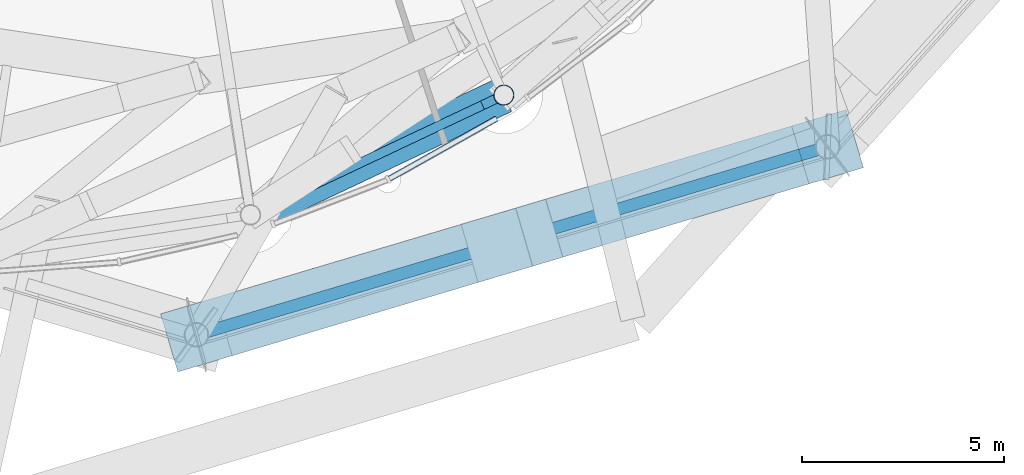
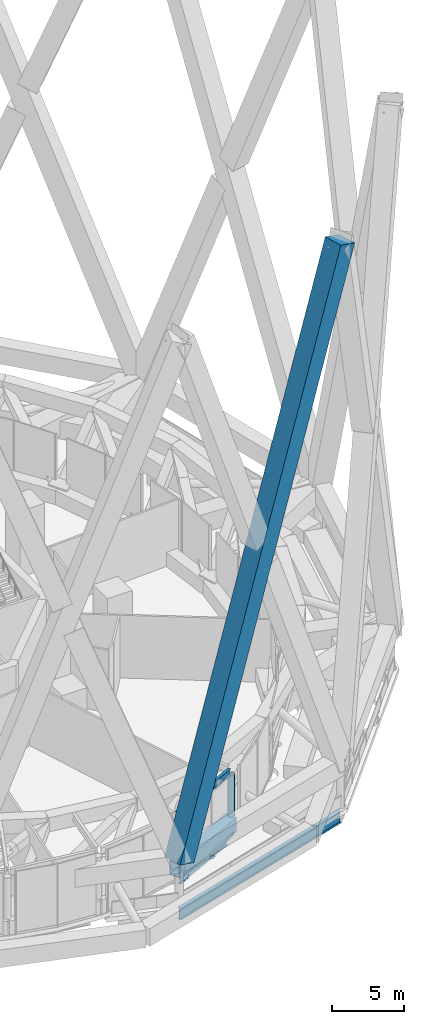
# One storey, part 15 of 49: 4 beams, 3 members, 1 element without a shape of its own.
"""IFC4 building model written with IfcOpenShell, lengths in metres."""

from ifc_helpers import new_model, si_unit, direction, frame, origin, origin_2d, place, context, subcontext, project, spatial, rectangle, hollow_rectangle, hollow_circle, i_section, extrude, material, layer, layer_set, material_profile, profile_set, type_object, element, aggregate, save


model = new_model("IFC4")

# Units and contexts
model_context = context("Model", 3, precision=1e-05, world=origin(), true_north=direction((0.0, 1.0)))
body_context = subcontext(model_context, "Body", "Model", "MODEL_VIEW")
ifc_project = project(units=[si_unit("LENGTHUNIT", "METRE"), si_unit("AREAUNIT", "SQUARE_METRE"), si_unit("VOLUMEUNIT", "CUBIC_METRE"), si_unit("PLANEANGLEUNIT", "RADIAN"), si_unit("MASSUNIT", "GRAM", prefix="KILO")], contexts=[model_context])

# Site, building, storey
site_placement = place(None, origin())
site = spatial("IfcSite", under=ifc_project, at=site_placement, CompositionType="ELEMENT")
building_placement = place(site_placement, origin())
building = spatial("IfcBuilding", under=site, at=building_placement, Name="Nagisa Residences", CompositionType="ELEMENT")
storey_placement = place(building_placement, frame((0.0, 0.0, 160.300048828125)))
storey = spatial("IfcBuildingStorey", under=building, at=storey_placement, Name="L40", CompositionType="ELEMENT", Elevation=160.300048828125)

# Beam
ifc_material_1 = material(Name="Steel ASTM A572 Gr 50", Category="steel")
ifc_material_profile_1 = material_profile(ifc_material_1, hollow_rectangle(XDim=0.89990234375, YDim=1.199951171875, WallThickness=0.044921875, at=origin_2d()), Name="BX 900x1200x45")
ifc_profile_set_1 = profile_set([ifc_material_profile_1], Name="Steel ASTM A572 Gr 50")
beam_type_1 = type_object("IfcBeamType", Name="Belt chord 3 BX 900x1200x45", PredefinedType="BEAM", material=ifc_profile_set_1)
beam_1_placement = place(storey_placement, frame((4.938232421875, -31.80078125, 0.599853515625), z_axis=(0.904174731044, 0.427162797703, 0.0), x_axis=(-0.427162797703, 0.904174731044, 0.0)))
element("IfcBeam", 1, at=beam_1_placement, inside=storey, type_object=beam_type_1, Name="beam:L40:bt3b20", PredefinedType="BEAM", context=body_context, shape_type="SweptSolid", body=[
    extrude(hollow_rectangle(XDim=0.89990234375, YDim=1.199951171875, WallThickness=0.044921875, at=origin_2d()), origin(), (0.0, 0.0, 1.0), 6.94482421875),
])

# Curtain wall, member
ifc_material_2 = material(Name="Aluminium curtain wall system", Category="aluminium")
ifc_layer = layer(ifc_material_2, 0.159912109375)
ifc_layer_set = layer_set([ifc_layer], Name="CW2 CURTAIN WALL")
curtain_wall_type = type_object("IfcCurtainWallType", Name="CW2 CURTAIN WALL", PredefinedType="NOTDEFINED", material=ifc_layer_set)
curtain_wall_placement = place(storey_placement, origin())
curtain_wall = element("IfcCurtainWall", 2, at=curtain_wall_placement, inside=storey, type_object=curtain_wall_type, Name="cw:CW2:L40:39", PredefinedType="NOTDEFINED")
ifc_material_3 = material(Name="Aluminium", Category="aluminium")
ifc_material_profile_2 = material_profile(ifc_material_3, rectangle(XDim=0.139892578125, YDim=0.179931640625, at=origin_2d()), Name="CW2 TRANSOM 140x180")
ifc_profile_set_2 = profile_set([ifc_material_profile_2], Name="Aluminium")
member_type_1 = type_object("IfcMemberType", Name="CW2 TRANSOM 140x180", PredefinedType="USERDEFINED", material=ifc_profile_set_2)
member_1_placement = place(storey_placement, frame((8.3154296875, -30.944580078125, 0.08984375), z_axis=(0.872041214571, 0.489432446911, 0.0), x_axis=(-0.489432446911, 0.872041214571, 0.0)))
member_1 = element("IfcMember", 3, at=member_1_placement, type_object=member_type_1, Name="CW2 transom", ObjectType="TRANSOM", PredefinedType="USERDEFINED", context=body_context, shape_type="SweptSolid", body=[
    extrude(rectangle(XDim=0.139892578125, YDim=0.179931640625, at=origin_2d()), origin(), (0.0, 0.0, 1.0), 3.11962890625),
])
aggregate(curtain_wall, [member_1])

# Member
ifc_material_4 = material(Name="Concrete C80", Category="concrete")
ifc_material_profile_3 = material_profile(ifc_material_4, rectangle(XDim=1.5, YDim=1.5, at=origin_2d()), Name="C80 1500x1500")
ifc_profile_set_3 = profile_set([ifc_material_profile_3], Name="Concrete C80")
member_type_2 = type_object("IfcMemberType", Name="Cage diagonal 4 C80 1500x1500", PredefinedType="BRACE", material=ifc_profile_set_3)
member_2_placement = place(storey_placement, frame((3.60009765625, -34.77490234375, 3.699951171875), z_axis=(0.3299241838, 0.098295783039, 0.938875908723), x_axis=(-0.285531266501, 0.958369394258, 0.0)))
element("IfcMember", 4, at=member_2_placement, inside=storey, type_object=member_type_2, Name="mem:L40:cg4d019", PredefinedType="BRACE", context=body_context, shape_type="SweptSolid", body=[
    extrude(rectangle(XDim=1.5, YDim=1.5, at=origin_2d()), origin(), (0.0, 0.0, 1.0), 47.397216796875),
])

# Beams
ifc_material_5 = material(Name="Steel ASTM A572 Gr 50", Category="steel")
ifc_material_profile_4 = material_profile(ifc_material_5, i_section(OverallWidth=0.300048828125, OverallDepth=0.97998046875, WebThickness=0.0166015625, FlangeThickness=0.02587890625, at=origin_2d()), Name="W1000x249")
ifc_profile_set_4 = profile_set([ifc_material_profile_4], Name="Steel ASTM A572 Gr 50")
beam_type_2 = type_object("IfcBeamType", Name="Deck edge beam W1000x249", PredefinedType="BEAM", material=ifc_profile_set_4)
beam_2_placement = place(storey_placement, frame((3.60009765625, -34.77490234375, -0.89013671875), z_axis=(0.958369394258, 0.285531266501, 0.0), x_axis=(-0.285531266501, 0.958369394258, 0.0)))
element("IfcBeam", 5, at=beam_2_placement, inside=storey, type_object=beam_type_2, Name="beam:L40:deckedge08", PredefinedType="BEAM", context=body_context, shape_type="SweptSolid", body=[
    extrude(i_section(OverallWidth=0.300048828125, OverallDepth=0.97998046875, WebThickness=0.0166015625, FlangeThickness=0.02587890625, at=origin_2d()), origin(), (0.0, 0.0, 1.0), 16.316650390625),
])
ifc_material_6 = material(Name="Steel ASTM A572 Gr 50", Category="steel")
ifc_material_profile_5 = material_profile(ifc_material_6, i_section(OverallWidth=0.22802734375, OverallDepth=0.60302734375, WebThickness=0.010498046875, FlangeThickness=0.014892578125, at=origin_2d()), Name="W610x101")
ifc_profile_set_5 = profile_set([ifc_material_profile_5], Name="Steel ASTM A572 Gr 50")
beam_type_3 = type_object("IfcBeamType", Name="Garden edge beam W610x101", PredefinedType="BEAM", material=ifc_profile_set_5)
beam_3_placement = place(storey_placement, frame((5.14990234375, -31.700927734375, 5.038330078125), z_axis=(0.904171813513, 0.427168973181, 0.0), x_axis=(-0.427168973181, 0.904171813513, 0.0)))
element("IfcBeam", 6, at=beam_3_placement, inside=storey, type_object=beam_type_3, Name="beam:L40:bt3ge20", PredefinedType="BEAM", context=body_context, shape_type="SweptSolid", body=[
    extrude(i_section(OverallWidth=0.22802734375, OverallDepth=0.60302734375, WebThickness=0.010498046875, FlangeThickness=0.014892578125, at=origin_2d()), origin(), (0.0, 0.0, 1.0), 6.4765625),
])

# Member
ifc_material_7 = material(Name="Steel ASTM A572 Gr 65", Category="steel")
ifc_material_profile_6 = material_profile(ifc_material_7, hollow_circle(Radius=0.25390625, WallThickness=0.02001953125, at=origin_2d()), Name="CHS 508x20")
ifc_profile_set_6 = profile_set([ifc_material_profile_6], Name="Steel ASTM A572 Gr 65")
member_type_3 = type_object("IfcMemberType", Name="Garden edge post CHS 508x20", PredefinedType="POST", material=ifc_profile_set_6)
member_3_placement = place(storey_placement, frame((11.217529296875, -28.834228515625, 1.199951171875), z_axis=(0.0, 0.0, 1.0), x_axis=(1.0, 0.0, 0.0)))
element("IfcMember", 7, at=member_3_placement, inside=storey, type_object=member_type_3, Name="mem:L40:gp321", PredefinedType="POST", context=body_context, shape_type="SweptSolid", body=[
    extrude(hollow_circle(Radius=0.25390625, WallThickness=0.02001953125, at=origin_2d()), origin(), (0.0, 0.0, 1.0), 3.537109375),
])

# Beam
ifc_material_8 = material(Name="Steel ASTM A572 Gr 50", Category="steel")
ifc_material_profile_7 = material_profile(ifc_material_8, i_section(OverallWidth=0.22802734375, OverallDepth=0.60302734375, WebThickness=0.010498046875, FlangeThickness=0.014892578125, at=origin_2d()), Name="W610x101")
ifc_profile_set_7 = profile_set([ifc_material_profile_7], Name="Steel ASTM A572 Gr 50")
beam_type_4 = type_object("IfcBeamType", Name="Perimeter ring beam W610x101", PredefinedType="BEAM", material=ifc_profile_set_7)
beam_4_placement = place(storey_placement, frame((5.468505859375, -31.55029296875, -0.651611328125), z_axis=(0.904186034847, 0.427138870143, 0.0), x_axis=(-0.427138870143, 0.904186034847, 0.0)))
element("IfcBeam", 8, at=beam_4_placement, inside=storey, type_object=beam_type_4, Name="beam:L40:pb20", PredefinedType="BEAM", context=body_context, shape_type="SweptSolid", body=[
    extrude(i_section(OverallWidth=0.22802734375, OverallDepth=0.60302734375, WebThickness=0.010498046875, FlangeThickness=0.014892578125, at=origin_2d()), origin(), (0.0, 0.0, 1.0), 5.772216796875),
])

save(model, "model.ifc")
